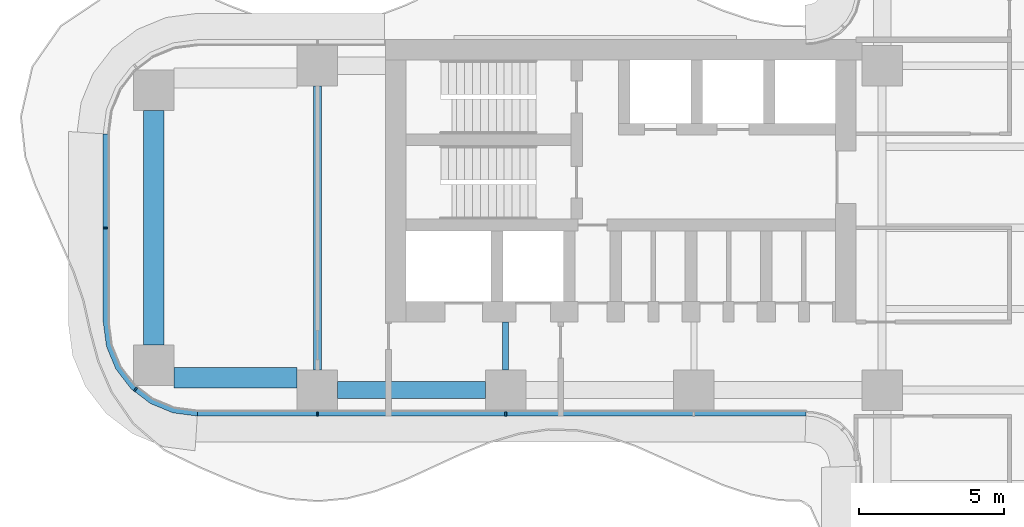
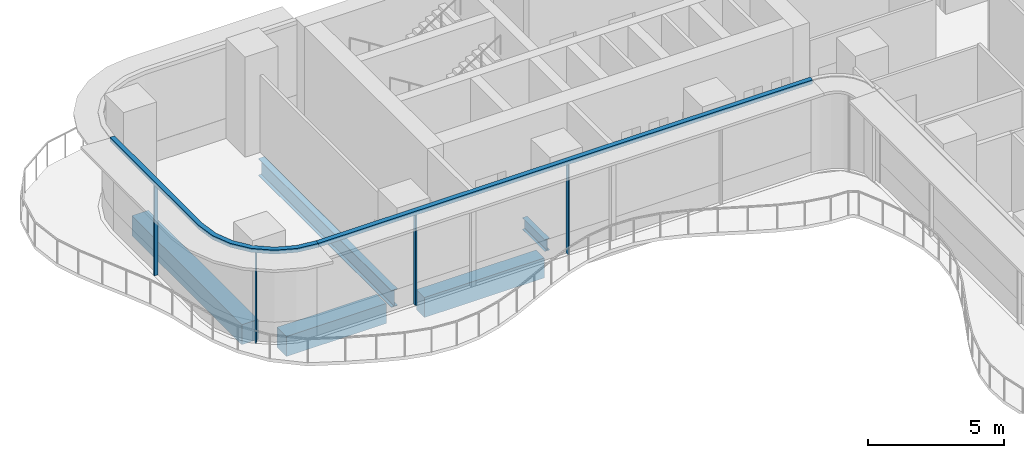
# One storey, part 3 of 22: 6 members, 5 beams, 2 elements without a shape of their own.
"""IFC4 building model written with IfcOpenShell, lengths in metres."""

from ifc_helpers import new_model, si_unit, direction, frame, origin, origin_2d, place, context, subcontext, project, spatial, polyline, rectangle, i_section, outline, extrude, source, transform, mapped, material, layer, layer_set, material_profile, profile_set, type_object, element, aggregate, save


model = new_model("IFC4")

# Units and contexts
model_context = context("Model", 3, precision=1e-05, world=origin(), true_north=direction((0.0, 1.0)))
body_context = subcontext(model_context, "Body", "Model", "MODEL_VIEW")
ifc_project = project(units=[si_unit("LENGTHUNIT", "METRE"), si_unit("AREAUNIT", "SQUARE_METRE"), si_unit("VOLUMEUNIT", "CUBIC_METRE"), si_unit("PLANEANGLEUNIT", "RADIAN"), si_unit("MASSUNIT", "GRAM", prefix="KILO")], contexts=[model_context])

# Site, building, storey
site_placement = place(None, origin())
site = spatial("IfcSite", under=ifc_project, at=site_placement, CompositionType="ELEMENT")
building_placement = place(site_placement, origin())
building = spatial("IfcBuilding", under=site, at=building_placement, Name="Trellis Farm Tower", CompositionType="ELEMENT")
storey_placement = place(building_placement, frame((0.0, 0.0, 52.0)))
storey = spatial("IfcBuildingStorey", under=building, at=storey_placement, Name="L10", CompositionType="ELEMENT", Elevation=52.0)

# Beams
ifc_material_1 = material(Name="Concrete C60/75", Category="concrete")
ifc_material_profile_1 = material_profile(ifc_material_1, rectangle(XDim=0.60009765625, YDim=0.89990234375, at=origin_2d()), Name="RC spandrel beam 600x900 C60/75")
ifc_profile_set_1 = profile_set([ifc_material_profile_1], Name="Concrete C60/75")
beam_type_1 = type_object("IfcBeamType", Name="RC spandrel beam 600x900 C60/75", PredefinedType="SPANDREL", material=ifc_profile_set_1)
shared_shape_1 = source(origin(), body_context, "Body", "SweptSolid", [
    extrude(rectangle(XDim=0.60009765625, YDim=0.89990234375, at=origin_2d()), origin(), (0.0, 0.0, 1.0), 5.099853515625),
])
beam_1_placement = place(storey_placement, frame((-24.39990234375, -5.60009765625, -0.699951171875), z_axis=(1.0, 0.0, 0.0), x_axis=(0.0, 1.0, 0.0)))
element("IfcBeam", 1, at=beam_1_placement, inside=storey, type_object=beam_type_1, Name="Girder", PredefinedType="SPANDREL", context=body_context, shape_type="MappedRepresentation", body=[
    mapped(shared_shape_1, transform((0.0, 0.0, 0.0))),
])
ifc_material_2 = material(Name="Steel S355", Category="steel")
ifc_material_profile_2 = material_profile(ifc_material_2, i_section(OverallWidth=0.2666015625, OverallDepth=0.76220703125, WebThickness=0.014404296875, FlangeThickness=0.021484375, FilletRadius=0.0166015625, at=origin_2d()), Name="UB 762x267x173")
ifc_profile_set_2 = profile_set([ifc_material_profile_2], Name="Steel S355")
beam_type_2 = type_object("IfcBeamType", Name="UB 762x267x173", PredefinedType="BEAM", material=ifc_profile_set_2)
shared_shape_2 = source(origin(), body_context, "Body", "SweptSolid", [
    extrude(i_section(OverallWidth=0.2666015625, OverallDepth=0.76220703125, WebThickness=0.014404296875, FlangeThickness=0.021484375, FilletRadius=0.0166015625, at=origin_2d()), origin(), (0.0, 0.0, 1.0), 9.7998046875),
])
beam_2_placement = place(storey_placement, frame((-25.10009765625, -4.89990234375, -0.631103515625), z_axis=(0.0, 1.0, 0.0), x_axis=(-1.0, 0.0, 0.0)))
element("IfcBeam", 2, at=beam_2_placement, inside=storey, type_object=beam_type_2, Name="Girder", PredefinedType="BEAM", context=body_context, shape_type="MappedRepresentation", body=[
    mapped(shared_shape_2, transform((0.0, 0.0, 0.0))),
])
ifc_material_profile_3 = material_profile(ifc_material_1, rectangle(XDim=0.699951171875, YDim=0.89990234375, at=origin_2d()), Name="RC spandrel beam 700x900 C60/75")
ifc_profile_set_3 = profile_set([ifc_material_profile_3], Name="Concrete C60/75")
beam_type_3 = type_object("IfcBeamType", Name="RC spandrel beam 700x900 C60/75", PredefinedType="SPANDREL", material=ifc_profile_set_3)
shared_shape_3 = source(origin(), body_context, "Body", "SweptSolid", [
    extrude(rectangle(XDim=0.699951171875, YDim=0.89990234375, at=origin_2d()), origin(), (0.0, 0.0, 1.0), 4.25),
])
beam_3_placement = place(storey_placement, frame((-30.050048828125, -5.175048828125, -0.699951171875), z_axis=(1.0, 0.0, 0.0), x_axis=(0.0, 1.0, 0.0)))
element("IfcBeam", 3, at=beam_3_placement, inside=storey, type_object=beam_type_3, Name="Girder", PredefinedType="SPANDREL", context=body_context, shape_type="MappedRepresentation", body=[
    mapped(shared_shape_3, transform((0.0, 0.0, 0.0))),
])
shared_shape_4 = source(origin(), body_context, "Body", "SweptSolid", [
    extrude(rectangle(XDim=0.699951171875, YDim=0.89990234375, at=origin_2d()), origin(), (0.0, 0.0, 1.0), 8.10009765625),
])
beam_4_placement = place(storey_placement, frame((-30.75, -4.050048828125, -0.699951171875), z_axis=(0.0, 1.0, 0.0), x_axis=(-1.0, 0.0, 0.0)))
element("IfcBeam", 4, at=beam_4_placement, inside=storey, type_object=beam_type_3, Name="Girder", PredefinedType="SPANDREL", context=body_context, shape_type="MappedRepresentation", body=[
    mapped(shared_shape_4, transform((0.0, 0.0, 0.0))),
])
ifc_material_profile_4 = material_profile(ifc_material_2, i_section(OverallWidth=0.209228515625, OverallDepth=0.533203125, WebThickness=0.010009765625, FlangeThickness=0.015625, FilletRadius=0.0126953125, at=origin_2d()), Name="UB 533x210x92")
ifc_profile_set_4 = profile_set([ifc_material_profile_4], Name="Steel S355")
beam_type_4 = type_object("IfcBeamType", Name="UB 533x210x92", PredefinedType="BEAM", material=ifc_profile_set_4)
shared_shape_5 = source(origin(), body_context, "Body", "SweptSolid", [
    extrude(i_section(OverallWidth=0.209228515625, OverallDepth=0.533203125, WebThickness=0.010009765625, FlangeThickness=0.015625, FilletRadius=0.0126953125, at=origin_2d()), origin(), (0.0, 0.0, 1.0), 1.64990234375),
])
beam_5_placement = place(storey_placement, frame((-18.60009765625, -4.89990234375, -0.5166015625), z_axis=(0.0, 1.0, 0.0), x_axis=(-1.0, 0.0, 0.0)))
element("IfcBeam", 5, at=beam_5_placement, inside=storey, type_object=beam_type_4, Name="Girder", PredefinedType="BEAM", context=body_context, shape_type="MappedRepresentation", body=[
    mapped(shared_shape_5, transform((0.0, 0.0, 0.0))),
])

# Curtain wall, members
ifc_material_3 = material(Name="Aluminium and glass curtain wall", Category="aluminium")
ifc_layer_1 = layer(ifc_material_3, 0.18994140625)
ifc_layer_set_1 = layer_set([ifc_layer_1], Name="RIBBON CURTAIN WALL CW1")
curtain_wall_type = type_object("IfcCurtainWallType", Name="RIBBON CURTAIN WALL CW1", PredefinedType="NOTDEFINED", material=ifc_layer_set_1)
placement_1 = place(storey_placement, origin())
curtain_wall_1 = element("IfcCurtainWall", 6, at=placement_1, inside=storey, type_object=curtain_wall_type, Name="CW1 001", PredefinedType="NOTDEFINED")
ifc_material_4 = material(Name="Aluminium extrusion 6063-T6", Category="aluminium")
ifc_material_profile_5 = material_profile(ifc_material_4, rectangle(XDim=0.06005859375, YDim=0.14990234375, at=origin_2d()), Name="MULLION 60x150")
ifc_profile_set_5 = profile_set([ifc_material_profile_5], Name="Aluminium extrusion 6063-T6")
member_type_1 = type_object("IfcMemberType", Name="CW1 MULLION 60x150", PredefinedType="MULLION", material=ifc_profile_set_5)
shared_shape_6 = source(origin(), body_context, "Body", "SweptSolid", [
    extrude(rectangle(XDim=0.06005859375, YDim=0.14990234375, at=origin_2d()), origin(), (0.0, 0.0, 1.0), 4.070068359375),
])
member_1_placement = place(storey_placement, frame((-25.10009765625, -6.425048828125, 0.0), z_axis=(0.0, 0.0, 1.0), x_axis=(1.0, 0.0, 0.0)))
member_1 = element("IfcMember", 7, at=member_1_placement, type_object=member_type_1, Name="MU1 001-01", PredefinedType="MULLION", context=body_context, shape_type="MappedRepresentation", body=[
    mapped(shared_shape_6, transform((0.0, 0.0, 0.0))),
])
member_2_placement = place(storey_placement, frame((-18.60009765625, -6.425048828125, 0.0), z_axis=(0.0, 0.0, 1.0), x_axis=(1.0, 0.0, 0.0)))
member_2 = element("IfcMember", 8, at=member_2_placement, type_object=member_type_1, Name="MU1 001-02", PredefinedType="MULLION", context=body_context, shape_type="MappedRepresentation", body=[
    mapped(shared_shape_6, transform((0.0, 0.0, 0.0))),
])

curtain_wall_2 = element("IfcCurtainWall", 9, at=placement_1, inside=storey, type_object=curtain_wall_type, Name="CW1 013", PredefinedType="NOTDEFINED")
member_3_placement = place(storey_placement, frame((-32.425048828125, 0.0, 0.0), z_axis=(0.0, 0.0, 1.0), x_axis=(0.0, -1.0, 0.0)))
member_3 = element("IfcMember", 10, at=member_3_placement, type_object=member_type_1, Name="MU1 013-01", PredefinedType="MULLION", context=body_context, shape_type="MappedRepresentation", body=[
    mapped(shared_shape_6, transform((0.0, 0.0, 0.0))),
])
member_4_placement = place(storey_placement, frame((-31.385498046875, -5.578369140625, 0.0), z_axis=(0.0, 0.0, 1.0), x_axis=(0.793353340291, -0.608761429009, 0.0)))
member_4 = element("IfcMember", 11, at=member_4_placement, type_object=member_type_1, Name="MU1 013-02", PredefinedType="MULLION", context=body_context, shape_type="MappedRepresentation", body=[
    mapped(shared_shape_6, transform((0.0, 0.0, 0.0))),
])

# Member
ifc_layer_2 = layer(ifc_material_4, 0.199951171875)
ifc_layer_set_2 = layer_set([ifc_layer_2], Name="Aluminium extrusion 6063-T6")
member_type_2 = type_object("IfcMemberType", Name="CW1 TRANSOM 200x180", PredefinedType="USERDEFINED", material=ifc_layer_set_2)
shared_shape_7 = source(origin(), body_context, "Body", "SweptSolid", [
    extrude(outline(polyline([(-29.25, -6.5), (-8.2314453125, -6.5), (-8.224853515625, -6.300048828125), (-29.23681640625, -6.300048828125), (-29.25, -6.5)])), origin(), (0.0, 0.0, 1.0), 0.179931640625),
])
placement_2 = place(storey_placement, frame((0.0, 0.0, 4.070068359375)))
member_5 = element("IfcMember", 12, at=placement_2, type_object=member_type_2, Name="TR1 001", ObjectType="TRANSOM", PredefinedType="USERDEFINED", context=body_context, shape_type="MappedRepresentation", body=[
    mapped(shared_shape_7, transform((0.0, 0.0, 0.0))),
])

aggregate(curtain_wall_1, [member_1, member_2, member_5])

shared_shape_8 = source(origin(), body_context, "Body", "SweptSolid", [
    extrude(outline(polyline([(-32.5, 3.25), (-32.5, -3.25), (-32.38916015625, -4.091064453125), (-32.064697265625, -4.875), (-31.548095703125, -5.548095703125), (-30.875, -6.064697265625), (-30.091064453125, -6.38916015625), (-29.25, -6.5), (-29.23681640625, -6.300048828125), (-30.0390625, -6.1943359375), (-30.774169921875, -5.889892578125), (-31.405517578125, -5.405517578125), (-31.889892578125, -4.774169921875), (-32.1943359375, -4.0390625), (-32.300048828125, -3.23681640625), (-32.300048828125, 3.23681640625), (-32.5, 3.25)])), origin(), (0.0, 0.0, 1.0), 0.179931640625),
])
member_6 = element("IfcMember", 13, at=placement_2, type_object=member_type_2, Name="TR1 013", ObjectType="TRANSOM", PredefinedType="USERDEFINED", context=body_context, shape_type="MappedRepresentation", body=[
    mapped(shared_shape_8, transform((0.0, 0.0, 0.0))),
])

aggregate(curtain_wall_2, [member_3, member_4, member_6])

save(model, "model.ifc")
